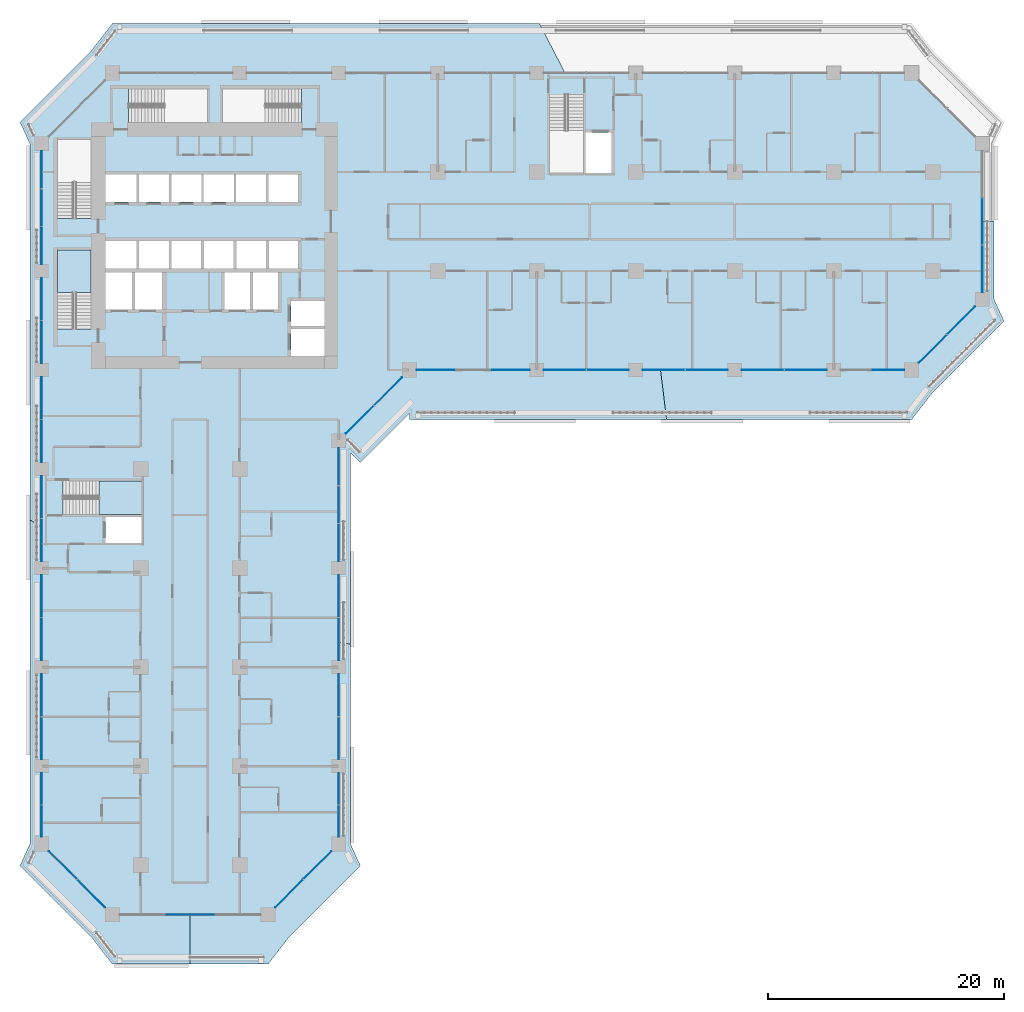
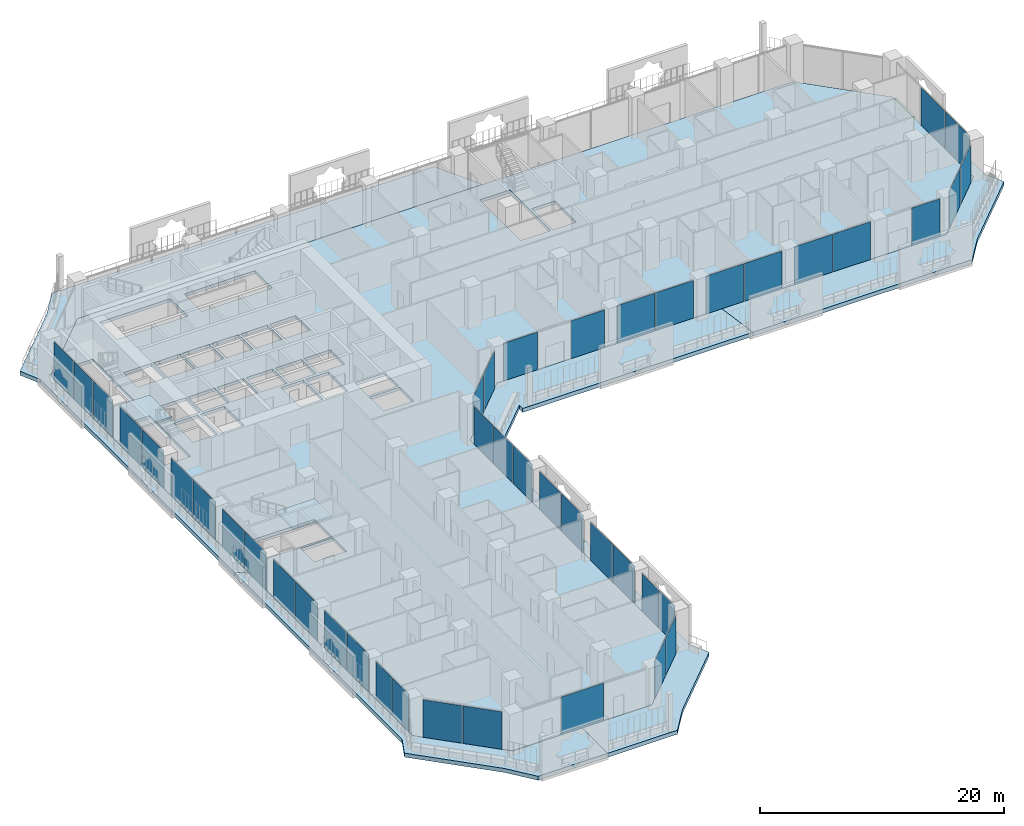
# One storey, part 11 of 28: 44 plates, 8 slabs, 11 elements without a shape of their own.
"""IFC4 building model written with IfcOpenShell, lengths in metres."""

from ifc_helpers import new_model, si_unit, direction, frame, origin, origin_2d, place, context, subcontext, project, spatial, polyline, rectangle, outline, extrude, material, layer, layer_set, type_object, element, aggregate, save


model = new_model("IFC4")

# Units and contexts
model_context = context("Model", 3, precision=1e-05, world=origin(), true_north=direction((0.0, 1.0)))
body_context = subcontext(model_context, "Body", "Model", "MODEL_VIEW")
ifc_project = project(units=[si_unit("LENGTHUNIT", "METRE"), si_unit("AREAUNIT", "SQUARE_METRE"), si_unit("VOLUMEUNIT", "CUBIC_METRE"), si_unit("PLANEANGLEUNIT", "RADIAN"), si_unit("MASSUNIT", "GRAM", prefix="KILO")], contexts=[model_context])

# Site, building, storey
site_placement = place(None, origin())
site = spatial("IfcSite", under=ifc_project, at=site_placement, CompositionType="ELEMENT")
building_placement = place(site_placement, origin())
building = spatial("IfcBuilding", under=site, at=building_placement, Name="Kawkab Arch Medical Tower", CompositionType="ELEMENT")
storey_placement = place(building_placement, frame((0.0, 0.0, 72.800048828125)))
storey = spatial("IfcBuildingStorey", under=building, at=storey_placement, Name="L16", CompositionType="ELEMENT", Elevation=72.800048828125)

# Curtain wall, plates
ifc_material_1 = material(Name="Bronze anodised aluminium curtain wall frame", Category="aluminium")
ifc_layer_1 = layer(ifc_material_1, 0.159912109375)
ifc_layer_set_1 = layer_set([ifc_layer_1], Name="Bronze anodised aluminium curtain wall frame")
curtain_wall_type_1 = type_object("IfcCurtainWallType", Name="CW1 ward curtain wall", PredefinedType="NOTDEFINED", material=ifc_layer_set_1)
placement_1 = place(storey_placement, origin())
curtain_wall_1 = element("IfcCurtainWall", 1, at=placement_1, inside=storey, type_object=curtain_wall_type_1, Name="CW1 Ward curtain wall R01", PredefinedType="NOTDEFINED")
ifc_material_2 = material(Name="Tinted insulating glass, bronze low-e coating", Category="glass")
ifc_layer_2 = layer(ifc_material_2, 0.031982421875)
ifc_layer_set_2 = layer_set([ifc_layer_2], Name="Tinted insulating glass, bronze low-e coating")
plate_type_1 = type_object("IfcPlateType", Name="CW1 glazing unit 32", PredefinedType="CURTAIN_PANEL", material=ifc_layer_set_2)
plate_1_placement = place(storey_placement, frame((0.0, -8.205810546875, 0.0), z_axis=(0.0, 0.0, 1.0), x_axis=(0.0, -1.0, 0.0)))
plate_1 = element("IfcPlate", 2, at=plate_1_placement, type_object=plate_type_1, Name="CW1 glazing unit 1.1", PredefinedType="CURTAIN_PANEL", context=body_context, shape_type="SweptSolid", body=[
    extrude(rectangle(XDim=3.16162109375, YDim=0.031982421875, at=origin_2d()), origin(), (0.0, 0.0, 1.0), 3.780029296875),
])
plate_2_placement = place(storey_placement, frame((0.0, -11.41259765625, 0.0), z_axis=(0.0, 0.0, 1.0), x_axis=(0.0, -1.0, 0.0)))
plate_2 = element("IfcPlate", 3, at=plate_2_placement, type_object=plate_type_1, Name="CW1 glazing unit 1.2", PredefinedType="CURTAIN_PANEL", context=body_context, shape_type="SweptSolid", body=[
    extrude(rectangle(XDim=3.131591796875, YDim=0.031982421875, at=origin_2d()), origin(), (0.0, 0.0, 1.0), 3.780029296875),
])
plate_3_placement = place(storey_placement, frame((0.0, -14.619140625, 0.0), z_axis=(0.0, 0.0, 1.0), x_axis=(0.0, -1.0, 0.0)))
plate_3 = element("IfcPlate", 4, at=plate_3_placement, type_object=plate_type_1, Name="CW1 glazing unit 1.3", PredefinedType="CURTAIN_PANEL", context=body_context, shape_type="SweptSolid", body=[
    extrude(rectangle(XDim=3.16162109375, YDim=0.031982421875, at=origin_2d()), origin(), (0.0, 0.0, 1.0), 3.780029296875),
])
plate_4_placement = place(storey_placement, frame((0.0, -19.18505859375, 0.0), z_axis=(0.0, 0.0, 1.0), x_axis=(0.0, -1.0, 0.0)))
plate_4 = element("IfcPlate", 5, at=plate_4_placement, type_object=plate_type_1, Name="CW1 glazing unit 2.1", PredefinedType="CURTAIN_PANEL", context=body_context, shape_type="SweptSolid", body=[
    extrude(rectangle(XDim=3.570068359375, YDim=0.031982421875, at=origin_2d()), origin(), (0.0, 0.0, 1.0), 3.780029296875),
])
plate_5_placement = place(storey_placement, frame((0.0, -22.81494140625, 0.0), z_axis=(0.0, 0.0, 1.0), x_axis=(0.0, -1.0, 0.0)))
plate_5 = element("IfcPlate", 6, at=plate_5_placement, type_object=plate_type_1, Name="CW1 glazing unit 2.2", PredefinedType="CURTAIN_PANEL", context=body_context, shape_type="SweptSolid", body=[
    extrude(rectangle(XDim=3.570068359375, YDim=0.031982421875, at=origin_2d()), origin(), (0.0, 0.0, 1.0), 3.780029296875),
])
plate_6_placement = place(storey_placement, frame((0.0, -27.5849609375, 0.0), z_axis=(0.0, 0.0, 1.0), x_axis=(0.0, -1.0, 0.0)))
plate_6 = element("IfcPlate", 7, at=plate_6_placement, type_object=plate_type_1, Name="CW1 glazing unit 3.1", PredefinedType="CURTAIN_PANEL", context=body_context, shape_type="SweptSolid", body=[
    extrude(rectangle(XDim=3.570068359375, YDim=0.031982421875, at=origin_2d()), origin(), (0.0, 0.0, 1.0), 3.780029296875),
])
plate_7_placement = place(storey_placement, frame((0.0, -31.215087890625, 0.0), z_axis=(0.0, 0.0, 1.0), x_axis=(0.0, -1.0, 0.0)))
plate_7 = element("IfcPlate", 8, at=plate_7_placement, type_object=plate_type_1, Name="CW1 glazing unit 3.2", PredefinedType="CURTAIN_PANEL", context=body_context, shape_type="SweptSolid", body=[
    extrude(rectangle(XDim=3.570068359375, YDim=0.031982421875, at=origin_2d()), origin(), (0.0, 0.0, 1.0), 3.780029296875),
])
plate_8_placement = place(storey_placement, frame((0.0, -35.985107421875, 0.0), z_axis=(0.0, 0.0, 1.0), x_axis=(0.0, -1.0, 0.0)))
plate_8 = element("IfcPlate", 9, at=plate_8_placement, type_object=plate_type_1, Name="CW1 glazing unit 4.1", PredefinedType="CURTAIN_PANEL", context=body_context, shape_type="SweptSolid", body=[
    extrude(rectangle(XDim=3.570068359375, YDim=0.031982421875, at=origin_2d()), origin(), (0.0, 0.0, 1.0), 3.780029296875),
])
plate_9_placement = place(storey_placement, frame((0.0, -39.614990234375, 0.0), z_axis=(0.0, 0.0, 1.0), x_axis=(0.0, -1.0, 0.0)))
plate_9 = element("IfcPlate", 10, at=plate_9_placement, type_object=plate_type_1, Name="CW1 glazing unit 4.2", PredefinedType="CURTAIN_PANEL", context=body_context, shape_type="SweptSolid", body=[
    extrude(rectangle(XDim=3.570068359375, YDim=0.031982421875, at=origin_2d()), origin(), (0.0, 0.0, 1.0), 3.780029296875),
])
plate_10_placement = place(storey_placement, frame((0.0, -44.385009765625, 0.0), z_axis=(0.0, 0.0, 1.0), x_axis=(0.0, -1.0, 0.0)))
plate_10 = element("IfcPlate", 11, at=plate_10_placement, type_object=plate_type_1, Name="CW1 glazing unit 5.1", PredefinedType="CURTAIN_PANEL", context=body_context, shape_type="SweptSolid", body=[
    extrude(rectangle(XDim=3.570068359375, YDim=0.031982421875, at=origin_2d()), origin(), (0.0, 0.0, 1.0), 3.780029296875),
])
plate_11_placement = place(storey_placement, frame((0.0, -48.014892578125, 0.0), z_axis=(0.0, 0.0, 1.0), x_axis=(0.0, -1.0, 0.0)))
plate_11 = element("IfcPlate", 12, at=plate_11_placement, type_object=plate_type_1, Name="CW1 glazing unit 5.2", PredefinedType="CURTAIN_PANEL", context=body_context, shape_type="SweptSolid", body=[
    extrude(rectangle(XDim=3.570068359375, YDim=0.031982421875, at=origin_2d()), origin(), (0.0, 0.0, 1.0), 3.780029296875),
])
plate_12_placement = place(storey_placement, frame((0.0, -52.784912109375, 0.0), z_axis=(0.0, 0.0, 1.0), x_axis=(0.0, -1.0, 0.0)))
plate_12 = element("IfcPlate", 13, at=plate_12_placement, type_object=plate_type_1, Name="CW1 glazing unit 6.1", PredefinedType="CURTAIN_PANEL", context=body_context, shape_type="SweptSolid", body=[
    extrude(rectangle(XDim=3.570068359375, YDim=0.031982421875, at=origin_2d()), origin(), (0.0, 0.0, 1.0), 3.780029296875),
])
plate_13_placement = place(storey_placement, frame((0.0, -56.4150390625, 0.0), z_axis=(0.0, 0.0, 1.0), x_axis=(0.0, -1.0, 0.0)))
plate_13 = element("IfcPlate", 14, at=plate_13_placement, type_object=plate_type_1, Name="CW1 glazing unit 6.2", PredefinedType="CURTAIN_PANEL", context=body_context, shape_type="SweptSolid", body=[
    extrude(rectangle(XDim=3.570068359375, YDim=0.031982421875, at=origin_2d()), origin(), (0.0, 0.0, 1.0), 3.780029296875),
])
plate_14_placement = place(storey_placement, frame((0.0, -60.728759765625, 0.0), z_axis=(0.0, 0.0, 1.0), x_axis=(0.0, -1.0, 0.0)))
plate_14 = element("IfcPlate", 15, at=plate_14_placement, type_object=plate_type_1, Name="CW1 glazing unit 7.1", PredefinedType="CURTAIN_PANEL", context=body_context, shape_type="SweptSolid", body=[
    extrude(rectangle(XDim=2.657470703125, YDim=0.031982421875, at=origin_2d()), origin(), (0.0, 0.0, 1.0), 3.780029296875),
])
plate_15_placement = place(storey_placement, frame((0.0, -63.4462890625, 0.0), z_axis=(0.0, 0.0, 1.0), x_axis=(0.0, -1.0, 0.0)))
plate_15 = element("IfcPlate", 16, at=plate_15_placement, type_object=plate_type_1, Name="CW1 glazing unit 7.2", PredefinedType="CURTAIN_PANEL", context=body_context, shape_type="SweptSolid", body=[
    extrude(rectangle(XDim=2.657470703125, YDim=0.031982421875, at=origin_2d()), origin(), (0.0, 0.0, 1.0), 3.780029296875),
])
aggregate(curtain_wall_1, [plate_1, plate_2, plate_3, plate_4, plate_5, plate_6, plate_7, plate_8, plate_9, plate_10, plate_11, plate_12, plate_13, plate_14, plate_15])

# Curtain wall, plate
curtain_wall_2 = element("IfcCurtainWall", 17, at=placement_1, inside=storey, type_object=curtain_wall_type_1, Name="CW1 Ward curtain wall R03", PredefinedType="NOTDEFINED")
plate_16_placement = place(storey_placement, frame((12.60009765625, -71.39990234375, 0.0), z_axis=(0.0, 0.0, 1.0), x_axis=(1.0, 0.0, 0.0)))
plate_16 = element("IfcPlate", 18, at=plate_16_placement, type_object=plate_type_1, Name="CW1 glazing unit 1.2", PredefinedType="CURTAIN_PANEL", context=body_context, shape_type="SweptSolid", body=[
    extrude(rectangle(XDim=3.9833984375, YDim=0.031982421875, at=origin_2d()), origin(), (0.0, 0.0, 1.0), 3.780029296875),
])
aggregate(curtain_wall_2, [plate_16])

# Curtain wall, plates
curtain_wall_3 = element("IfcCurtainWall", 19, at=placement_1, inside=storey, type_object=curtain_wall_type_1, Name="CW1 Ward curtain wall R05", PredefinedType="NOTDEFINED")
plate_17_placement = place(storey_placement, frame((25.199951171875, -63.4462890625, 0.0), z_axis=(0.0, 0.0, 1.0), x_axis=(0.0, 1.0, 0.0)))
plate_17 = element("IfcPlate", 20, at=plate_17_placement, type_object=plate_type_1, Name="CW1 glazing unit 1.1", PredefinedType="CURTAIN_PANEL", context=body_context, shape_type="SweptSolid", body=[
    extrude(rectangle(XDim=2.657470703125, YDim=0.031982421875, at=origin_2d()), origin(), (0.0, 0.0, 1.0), 3.780029296875),
])
plate_18_placement = place(storey_placement, frame((25.199951171875, -60.728759765625, 0.0), z_axis=(0.0, 0.0, 1.0), x_axis=(0.0, 1.0, 0.0)))
plate_18 = element("IfcPlate", 21, at=plate_18_placement, type_object=plate_type_1, Name="CW1 glazing unit 1.2", PredefinedType="CURTAIN_PANEL", context=body_context, shape_type="SweptSolid", body=[
    extrude(rectangle(XDim=2.657470703125, YDim=0.031982421875, at=origin_2d()), origin(), (0.0, 0.0, 1.0), 3.780029296875),
])
plate_19_placement = place(storey_placement, frame((25.199951171875, -56.4150390625, 0.0), z_axis=(0.0, 0.0, 1.0), x_axis=(0.0, 1.0, 0.0)))
plate_19 = element("IfcPlate", 22, at=plate_19_placement, type_object=plate_type_1, Name="CW1 glazing unit 2.1", PredefinedType="CURTAIN_PANEL", context=body_context, shape_type="SweptSolid", body=[
    extrude(rectangle(XDim=3.570068359375, YDim=0.031982421875, at=origin_2d()), origin(), (0.0, 0.0, 1.0), 3.780029296875),
])
plate_20_placement = place(storey_placement, frame((25.199951171875, -52.784912109375, 0.0), z_axis=(0.0, 0.0, 1.0), x_axis=(0.0, 1.0, 0.0)))
plate_20 = element("IfcPlate", 23, at=plate_20_placement, type_object=plate_type_1, Name="CW1 glazing unit 2.2", PredefinedType="CURTAIN_PANEL", context=body_context, shape_type="SweptSolid", body=[
    extrude(rectangle(XDim=3.570068359375, YDim=0.031982421875, at=origin_2d()), origin(), (0.0, 0.0, 1.0), 3.780029296875),
])
plate_21_placement = place(storey_placement, frame((25.199951171875, -48.014892578125, 0.0), z_axis=(0.0, 0.0, 1.0), x_axis=(0.0, 1.0, 0.0)))
plate_21 = element("IfcPlate", 24, at=plate_21_placement, type_object=plate_type_1, Name="CW1 glazing unit 3.1", PredefinedType="CURTAIN_PANEL", context=body_context, shape_type="SweptSolid", body=[
    extrude(rectangle(XDim=3.570068359375, YDim=0.031982421875, at=origin_2d()), origin(), (0.0, 0.0, 1.0), 3.780029296875),
])
plate_22_placement = place(storey_placement, frame((25.199951171875, -44.385009765625, 0.0), z_axis=(0.0, 0.0, 1.0), x_axis=(0.0, 1.0, 0.0)))
plate_22 = element("IfcPlate", 25, at=plate_22_placement, type_object=plate_type_1, Name="CW1 glazing unit 3.2", PredefinedType="CURTAIN_PANEL", context=body_context, shape_type="SweptSolid", body=[
    extrude(rectangle(XDim=3.570068359375, YDim=0.031982421875, at=origin_2d()), origin(), (0.0, 0.0, 1.0), 3.780029296875),
])
plate_23_placement = place(storey_placement, frame((25.199951171875, -39.819091796875, 0.0), z_axis=(0.0, 0.0, 1.0), x_axis=(0.0, 1.0, 0.0)))
plate_23 = element("IfcPlate", 26, at=plate_23_placement, type_object=plate_type_1, Name="CW1 glazing unit 4.1", PredefinedType="CURTAIN_PANEL", context=body_context, shape_type="SweptSolid", body=[
    extrude(rectangle(XDim=3.16162109375, YDim=0.031982421875, at=origin_2d()), origin(), (0.0, 0.0, 1.0), 3.780029296875),
])
plate_24_placement = place(storey_placement, frame((25.199951171875, -36.612548828125, 0.0), z_axis=(0.0, 0.0, 1.0), x_axis=(0.0, 1.0, 0.0)))
plate_24 = element("IfcPlate", 27, at=plate_24_placement, type_object=plate_type_1, Name="CW1 glazing unit 4.2", PredefinedType="CURTAIN_PANEL", context=body_context, shape_type="SweptSolid", body=[
    extrude(rectangle(XDim=3.131591796875, YDim=0.031982421875, at=origin_2d()), origin(), (0.0, 0.0, 1.0), 3.780029296875),
])
plate_25_placement = place(storey_placement, frame((25.199951171875, -33.40576171875, 0.0), z_axis=(0.0, 0.0, 1.0), x_axis=(0.0, 1.0, 0.0)))
plate_25 = element("IfcPlate", 28, at=plate_25_placement, type_object=plate_type_1, Name="CW1 glazing unit 4.3", PredefinedType="CURTAIN_PANEL", context=body_context, shape_type="SweptSolid", body=[
    extrude(rectangle(XDim=3.16162109375, YDim=0.031982421875, at=origin_2d()), origin(), (0.0, 0.0, 1.0), 3.780029296875),
])
aggregate(curtain_wall_3, [plate_17, plate_18, plate_19, plate_20, plate_21, plate_22, plate_23, plate_24, plate_25])

curtain_wall_4 = element("IfcCurtainWall", 29, at=placement_1, inside=storey, type_object=curtain_wall_type_1, Name="CW1 Ward curtain wall R07", PredefinedType="NOTDEFINED")
plate_26_placement = place(storey_placement, frame((33.4208984375, -25.199951171875, 0.0), z_axis=(0.0, 0.0, 1.0), x_axis=(1.0, 0.0, 0.0)))
plate_26 = element("IfcPlate", 30, at=plate_26_placement, type_object=plate_type_1, Name="CW1 glazing unit 1.1", PredefinedType="CURTAIN_PANEL", context=body_context, shape_type="SweptSolid", body=[
    extrude(rectangle(XDim=3.191650390625, YDim=0.031982421875, at=origin_2d()), origin(), (0.0, 0.0, 1.0), 3.780029296875),
])
plate_27_placement = place(storey_placement, frame((39.80419921875, -25.199951171875, 0.0), z_axis=(0.0, 0.0, 1.0), x_axis=(1.0, 0.0, 0.0)))
plate_27 = element("IfcPlate", 31, at=plate_27_placement, type_object=plate_type_1, Name="CW1 glazing unit 1.3", PredefinedType="CURTAIN_PANEL", context=body_context, shape_type="SweptSolid", body=[
    extrude(rectangle(XDim=3.191650390625, YDim=0.031982421875, at=origin_2d()), origin(), (0.0, 0.0, 1.0), 3.780029296875),
])
plate_28_placement = place(storey_placement, frame((44.385009765625, -25.199951171875, 0.0), z_axis=(0.0, 0.0, 1.0), x_axis=(1.0, 0.0, 0.0)))
plate_28 = element("IfcPlate", 32, at=plate_28_placement, type_object=plate_type_1, Name="CW1 glazing unit 2.1", PredefinedType="CURTAIN_PANEL", context=body_context, shape_type="SweptSolid", body=[
    extrude(rectangle(XDim=3.570068359375, YDim=0.031982421875, at=origin_2d()), origin(), (0.0, 0.0, 1.0), 3.780029296875),
])
plate_29_placement = place(storey_placement, frame((48.014892578125, -25.199951171875, 0.0), z_axis=(0.0, 0.0, 1.0), x_axis=(1.0, 0.0, 0.0)))
plate_29 = element("IfcPlate", 33, at=plate_29_placement, type_object=plate_type_1, Name="CW1 glazing unit 2.2", PredefinedType="CURTAIN_PANEL", context=body_context, shape_type="SweptSolid", body=[
    extrude(rectangle(XDim=3.570068359375, YDim=0.031982421875, at=origin_2d()), origin(), (0.0, 0.0, 1.0), 3.780029296875),
])
plate_30_placement = place(storey_placement, frame((52.784912109375, -25.199951171875, 0.0), z_axis=(0.0, 0.0, 1.0), x_axis=(1.0, 0.0, 0.0)))
plate_30 = element("IfcPlate", 34, at=plate_30_placement, type_object=plate_type_1, Name="CW1 glazing unit 3.1", PredefinedType="CURTAIN_PANEL", context=body_context, shape_type="SweptSolid", body=[
    extrude(rectangle(XDim=3.570068359375, YDim=0.031982421875, at=origin_2d()), origin(), (0.0, 0.0, 1.0), 3.780029296875),
])
plate_31_placement = place(storey_placement, frame((56.4150390625, -25.199951171875, 0.0), z_axis=(0.0, 0.0, 1.0), x_axis=(1.0, 0.0, 0.0)))
plate_31 = element("IfcPlate", 35, at=plate_31_placement, type_object=plate_type_1, Name="CW1 glazing unit 3.2", PredefinedType="CURTAIN_PANEL", context=body_context, shape_type="SweptSolid", body=[
    extrude(rectangle(XDim=3.570068359375, YDim=0.031982421875, at=origin_2d()), origin(), (0.0, 0.0, 1.0), 3.780029296875),
])
plate_32_placement = place(storey_placement, frame((61.18505859375, -25.199951171875, 0.0), z_axis=(0.0, 0.0, 1.0), x_axis=(1.0, 0.0, 0.0)))
plate_32 = element("IfcPlate", 36, at=plate_32_placement, type_object=plate_type_1, Name="CW1 glazing unit 4.1", PredefinedType="CURTAIN_PANEL", context=body_context, shape_type="SweptSolid", body=[
    extrude(rectangle(XDim=3.570068359375, YDim=0.031982421875, at=origin_2d()), origin(), (0.0, 0.0, 1.0), 3.780029296875),
])
plate_33_placement = place(storey_placement, frame((64.81494140625, -25.199951171875, 0.0), z_axis=(0.0, 0.0, 1.0), x_axis=(1.0, 0.0, 0.0)))
plate_33 = element("IfcPlate", 37, at=plate_33_placement, type_object=plate_type_1, Name="CW1 glazing unit 4.2", PredefinedType="CURTAIN_PANEL", context=body_context, shape_type="SweptSolid", body=[
    extrude(rectangle(XDim=3.570068359375, YDim=0.031982421875, at=origin_2d()), origin(), (0.0, 0.0, 1.0), 3.780029296875),
])
plate_34_placement = place(storey_placement, frame((71.831298828125, -25.199951171875, 0.0), z_axis=(0.0, 0.0, 1.0), x_axis=(1.0, 0.0, 0.0)))
plate_34 = element("IfcPlate", 38, at=plate_34_placement, type_object=plate_type_1, Name="CW1 glazing unit 5.2", PredefinedType="CURTAIN_PANEL", context=body_context, shape_type="SweptSolid", body=[
    extrude(rectangle(XDim=2.6875, YDim=0.031982421875, at=origin_2d()), origin(), (0.0, 0.0, 1.0), 3.780029296875),
])
aggregate(curtain_wall_4, [plate_26, plate_27, plate_28, plate_29, plate_30, plate_31, plate_32, plate_33, plate_34])

curtain_wall_5 = element("IfcCurtainWall", 39, at=placement_1, inside=storey, type_object=curtain_wall_type_1, Name="CW1 Ward curtain wall R09", PredefinedType="NOTDEFINED")
plate_35_placement = place(storey_placement, frame((79.800048828125, -16.598388671875, 0.0), z_axis=(0.0, 0.0, 1.0), x_axis=(0.0, 1.0, 0.0)))
plate_35 = element("IfcPlate", 40, at=plate_35_placement, type_object=plate_type_1, Name="CW1 glazing unit 1.1", PredefinedType="CURTAIN_PANEL", context=body_context, shape_type="SweptSolid", body=[
    extrude(rectangle(XDim=3.953369140625, YDim=0.031982421875, at=origin_2d()), origin(), (0.0, 0.0, 1.0), 3.780029296875),
])
plate_36_placement = place(storey_placement, frame((79.800048828125, -12.60009765625, 0.0), z_axis=(0.0, 0.0, 1.0), x_axis=(0.0, 1.0, 0.0)))
plate_36 = element("IfcPlate", 41, at=plate_36_placement, type_object=plate_type_1, Name="CW1 glazing unit 1.2", PredefinedType="CURTAIN_PANEL", context=body_context, shape_type="SweptSolid", body=[
    extrude(rectangle(XDim=3.92333984375, YDim=0.031982421875, at=origin_2d()), origin(), (0.0, 0.0, 1.0), 3.780029296875),
])
aggregate(curtain_wall_5, [plate_35, plate_36])

ifc_material_3 = material(Name="Bronze anodised aluminium curtain wall frame", Category="aluminium")
ifc_layer_3 = layer(ifc_material_3, 0.159912109375)
ifc_layer_set_3 = layer_set([ifc_layer_3], Name="Bronze anodised aluminium curtain wall frame")
curtain_wall_type_2 = type_object("IfcCurtainWallType", Name="CW2 chamfer curtain wall", PredefinedType="NOTDEFINED", material=ifc_layer_set_3)
curtain_wall_6 = element("IfcCurtainWall", 42, at=placement_1, inside=storey, type_object=curtain_wall_type_2, Name="CW2 Chamfer curtain wall R02", PredefinedType="NOTDEFINED")
ifc_material_4 = material(Name="Tinted insulating glass, bronze low-e coating", Category="glass")
ifc_layer_4 = layer(ifc_material_4, 0.031982421875)
ifc_layer_set_4 = layer_set([ifc_layer_4], Name="Tinted insulating glass, bronze low-e coating")
plate_type_2 = type_object("IfcPlateType", Name="CW2 glazing unit 32", PredefinedType="CURTAIN_PANEL", material=ifc_layer_set_4)
plate_37_placement = place(storey_placement, frame((1.802001953125, -67.201904296875, 0.0), z_axis=(0.0, 0.0, 1.0), x_axis=(0.707106781187, -0.707106781187, 0.0)))
plate_37 = element("IfcPlate", 43, at=plate_37_placement, type_object=plate_type_2, Name="CW2 glazing unit 1.1", PredefinedType="CURTAIN_PANEL", context=body_context, shape_type="SweptSolid", body=[
    extrude(rectangle(XDim=3.328857421875, YDim=0.031982421875, at=origin_2d()), origin(), (0.0, 0.0, 1.0), 3.760009765625),
])
plate_38_placement = place(storey_placement, frame((4.197998046875, -69.59814453125, 0.0), z_axis=(0.0, 0.0, 1.0), x_axis=(0.707106781187, -0.707106781187, 0.0)))
plate_38 = element("IfcPlate", 44, at=plate_38_placement, type_object=plate_type_2, Name="CW2 glazing unit 1.2", PredefinedType="CURTAIN_PANEL", context=body_context, shape_type="SweptSolid", body=[
    extrude(rectangle(XDim=3.328857421875, YDim=0.031982421875, at=origin_2d()), origin(), (0.0, 0.0, 1.0), 3.760009765625),
])
aggregate(curtain_wall_6, [plate_37, plate_38])

curtain_wall_7 = element("IfcCurtainWall", 45, at=placement_1, inside=storey, type_object=curtain_wall_type_2, Name="CW2 Chamfer curtain wall R04", PredefinedType="NOTDEFINED")
plate_39_placement = place(storey_placement, frame((21.001953125, -69.59814453125, 0.0), z_axis=(0.0, 0.0, 1.0), x_axis=(0.707106781187, 0.707106781187, 0.0)))
plate_39 = element("IfcPlate", 46, at=plate_39_placement, type_object=plate_type_2, Name="CW2 glazing unit 1.1", PredefinedType="CURTAIN_PANEL", context=body_context, shape_type="SweptSolid", body=[
    extrude(rectangle(XDim=3.328857421875, YDim=0.031982421875, at=origin_2d()), origin(), (0.0, 0.0, 1.0), 3.760009765625),
])
plate_40_placement = place(storey_placement, frame((23.398193359375, -67.201904296875, 0.0), z_axis=(0.0, 0.0, 1.0), x_axis=(0.707106781187, 0.707106781187, 0.0)))
plate_40 = element("IfcPlate", 47, at=plate_40_placement, type_object=plate_type_2, Name="CW2 glazing unit 1.2", PredefinedType="CURTAIN_PANEL", context=body_context, shape_type="SweptSolid", body=[
    extrude(rectangle(XDim=3.328857421875, YDim=0.031982421875, at=origin_2d()), origin(), (0.0, 0.0, 1.0), 3.760009765625),
])
aggregate(curtain_wall_7, [plate_39, plate_40])

curtain_wall_8 = element("IfcCurtainWall", 48, at=placement_1, inside=storey, type_object=curtain_wall_type_2, Name="CW2 Chamfer curtain wall R06", PredefinedType="NOTDEFINED")
plate_41_placement = place(storey_placement, frame((27.001953125, -29.398193359375, 0.0), z_axis=(0.0, 0.0, 1.0), x_axis=(0.707106781187, 0.707106781187, 0.0)))
plate_41 = element("IfcPlate", 49, at=plate_41_placement, type_object=plate_type_2, Name="CW2 glazing unit 1.1", PredefinedType="CURTAIN_PANEL", context=body_context, shape_type="SweptSolid", body=[
    extrude(rectangle(XDim=3.328857421875, YDim=0.031982421875, at=origin_2d()), origin(), (0.0, 0.0, 1.0), 3.760009765625),
])
plate_42_placement = place(storey_placement, frame((29.398193359375, -27.001953125, 0.0), z_axis=(0.0, 0.0, 1.0), x_axis=(0.707106781187, 0.707106781187, 0.0)))
plate_42 = element("IfcPlate", 50, at=plate_42_placement, type_object=plate_type_2, Name="CW2 glazing unit 1.2", PredefinedType="CURTAIN_PANEL", context=body_context, shape_type="SweptSolid", body=[
    extrude(rectangle(XDim=3.328857421875, YDim=0.031982421875, at=origin_2d()), origin(), (0.0, 0.0, 1.0), 3.760009765625),
])
aggregate(curtain_wall_8, [plate_41, plate_42])

curtain_wall_9 = element("IfcCurtainWall", 51, at=placement_1, inside=storey, type_object=curtain_wall_type_2, Name="CW2 Chamfer curtain wall R08", PredefinedType="NOTDEFINED")
plate_43_placement = place(storey_placement, frame((75.601806640625, -23.398193359375, 0.0), z_axis=(0.0, 0.0, 1.0), x_axis=(0.707106781187, 0.707106781187, 0.0)))
plate_43 = element("IfcPlate", 52, at=plate_43_placement, type_object=plate_type_2, Name="CW2 glazing unit 1.1", PredefinedType="CURTAIN_PANEL", context=body_context, shape_type="SweptSolid", body=[
    extrude(rectangle(XDim=3.328857421875, YDim=0.031982421875, at=origin_2d()), origin(), (0.0, 0.0, 1.0), 3.760009765625),
])
plate_44_placement = place(storey_placement, frame((77.998046875, -21.001953125, 0.0), z_axis=(0.0, 0.0, 1.0), x_axis=(0.707106781187, 0.707106781187, 0.0)))
plate_44 = element("IfcPlate", 53, at=plate_44_placement, type_object=plate_type_2, Name="CW2 glazing unit 1.2", PredefinedType="CURTAIN_PANEL", context=body_context, shape_type="SweptSolid", body=[
    extrude(rectangle(XDim=3.328857421875, YDim=0.031982421875, at=origin_2d()), origin(), (0.0, 0.0, 1.0), 3.760009765625),
])
aggregate(curtain_wall_9, [plate_43, plate_44])

# Stair, slab
ifc_material_5 = material(Name="Concrete C40/50", Category="concrete")
stair_type = type_object("IfcStairType", Name="Exit stair 1350", PredefinedType="HALF_TURN_STAIR", material=ifc_material_5)
stair_1 = element("IfcStair", 54, at=placement_1, inside=storey, type_object=stair_type, Name="L16 Exit stair ST2", PredefinedType="HALF_TURN_STAIR")
ifc_material_6 = material(Name="Concrete C40/50", Category="concrete")
ifc_layer_5 = layer(ifc_material_6, 0.199951171875)
ifc_layer_set_5 = layer_set([ifc_layer_5], Name="Concrete C40/50")
slab_type_1 = type_object("IfcSlabType", Name="Exit stair landing 200", PredefinedType="LANDING", material=ifc_layer_set_5)
placement_2 = place(storey_placement, frame((0.0, 0.0, 1.89990234375)))
slab_1 = element("IfcSlab", 55, at=placement_2, type_object=slab_type_1, Name="ST2 landing 1", PredefinedType="LANDING", context=body_context, shape_type="SweptSolid", body=[
    extrude(outline(polyline([(4.199951171875, -18.6201171875), (4.199951171875, -15.0), (1.35009765625, -15.0), (1.35009765625, -18.6201171875), (4.199951171875, -18.6201171875)])), origin(), (0.0, 0.0, 1.0), 0.199951171875),
])
aggregate(stair_1, [slab_1])

stair_2 = element("IfcStair", 56, at=placement_1, inside=storey, type_object=stair_type, Name="L16 Exit stair ST6", PredefinedType="HALF_TURN_STAIR")
slab_2 = element("IfcSlab", 57, at=placement_2, type_object=slab_type_1, Name="ST6 landing 1", PredefinedType="LANDING", context=body_context, shape_type="SweptSolid", body=[
    extrude(outline(polyline([(4.8798828125, -37.449951171875), (8.5, -37.449951171875), (8.5, -34.60009765625), (4.8798828125, -34.60009765625), (4.8798828125, -37.449951171875)])), origin(), (0.0, 0.0, 1.0), 0.199951171875),
])
aggregate(stair_2, [slab_2])

# Slabs
ifc_material_7 = material(Name="Concrete C40/50", Category="concrete")
ifc_layer_6 = layer(ifc_material_7, 0.300048828125)
ifc_layer_set_6 = layer_set([ifc_layer_6], Name="Concrete C40/50")
slab_type_2 = type_object("IfcSlabType", Name="Flat plate 300 C40/50", PredefinedType="FLOOR", material=ifc_layer_set_6)
slab_3_placement = place(storey_placement, frame((0.0, 0.0, -0.300048828125)))
element("IfcSlab", 58, at=slab_3_placement, inside=storey, type_object=slab_type_2, Name="Floor slab L16", PredefinedType="FLOOR", context=body_context, shape_type="SweptSolid", body=[
    extrude(outline(polyline([(6.0, 0.0), (73.800048828125, 0.0), (79.800048828125, -6.0), (79.800048828125, -19.199951171875), (73.800048828125, -25.199951171875), (31.199951171875, -25.199951171875), (25.199951171875, -31.199951171875), (25.199951171875, -65.39990234375), (19.199951171875, -71.39990234375), (6.0, -71.39990234375), (0.0, -65.39990234375), (0.0, -6.0), (6.0, 0.0)]), holes=[polyline([(5.425048828125, -37.64990234375), (5.425048828125, -39.85009765625), (8.5, -39.85009765625), (8.5, -37.64990234375), (5.425048828125, -37.64990234375)]), polyline([(1.800048828125, -37.449951171875), (8.5, -37.449951171875), (8.5, -34.60009765625), (1.800048828125, -34.60009765625), (1.800048828125, -37.449951171875)]), polyline([(5.39990234375, -16.89990234375), (5.39990234375, -20.050048828125), (7.675048828125, -20.050048828125), (7.675048828125, -16.89990234375), (5.39990234375, -16.89990234375)]), polyline([(10.199951171875, -16.89990234375), (7.925048828125, -16.89990234375), (7.925048828125, -20.050048828125), (10.199951171875, -20.050048828125), (10.199951171875, -16.89990234375)]), polyline([(4.199951171875, -21.699951171875), (4.199951171875, -15.0), (1.35009765625, -15.0), (1.35009765625, -21.699951171875), (4.199951171875, -21.699951171875)]), polyline([(5.39990234375, -14.25), (5.39990234375, -16.60009765625), (8.050048828125, -16.60009765625), (8.050048828125, -14.25), (5.39990234375, -14.25)]), polyline([(8.25, -14.25), (8.25, -16.60009765625), (10.800048828125, -16.60009765625), (10.800048828125, -14.25), (8.25, -14.25)]), polyline([(11.0, -16.60009765625), (13.52490234375, -16.60009765625), (13.52490234375, -14.25), (11.0, -14.25), (11.0, -16.60009765625)]), polyline([(5.39990234375, -8.60009765625), (5.39990234375, -10.949951171875), (8.050048828125, -10.949951171875), (8.050048828125, -8.60009765625), (5.39990234375, -8.60009765625)]), polyline([(8.25, -8.60009765625), (8.25, -10.949951171875), (10.800048828125, -10.949951171875), (10.800048828125, -8.60009765625), (8.25, -8.60009765625)]), polyline([(13.550048828125, -10.949951171875), (13.550048828125, -8.60009765625), (11.0, -8.60009765625), (11.0, -10.949951171875), (13.550048828125, -10.949951171875)]), polyline([(4.199951171875, -12.35009765625), (4.199951171875, -5.64990234375), (1.35009765625, -5.64990234375), (1.35009765625, -12.35009765625), (4.199951171875, -12.35009765625)]), polyline([(7.35009765625, -4.199951171875), (14.050048828125, -4.199951171875), (14.050048828125, -1.35009765625), (7.35009765625, -1.35009765625), (7.35009765625, -4.199951171875)]), polyline([(24.0, -21.72509765625), (21.14990234375, -21.72509765625), (21.14990234375, -24.0), (24.0, -24.0), (24.0, -21.72509765625)]), polyline([(24.0, -21.47509765625), (24.0, -19.35009765625), (21.14990234375, -19.35009765625), (21.14990234375, -21.47509765625), (24.0, -21.47509765625)]), polyline([(15.52490234375, -20.050048828125), (17.675048828125, -20.050048828125), (17.675048828125, -16.89990234375), (15.52490234375, -16.89990234375), (15.52490234375, -20.050048828125)]), polyline([(20.050048828125, -20.050048828125), (20.050048828125, -16.89990234375), (17.925048828125, -16.89990234375), (17.925048828125, -20.050048828125), (20.050048828125, -20.050048828125)]), polyline([(13.77490234375, -14.25), (13.77490234375, -16.60009765625), (16.27490234375, -16.60009765625), (16.27490234375, -14.25), (13.77490234375, -14.25)]), polyline([(16.52490234375, -14.25), (16.52490234375, -16.60009765625), (19.02490234375, -16.60009765625), (19.02490234375, -14.25), (16.52490234375, -14.25)]), polyline([(21.75, -16.60009765625), (21.75, -14.25), (19.27490234375, -14.25), (19.27490234375, -16.60009765625), (21.75, -16.60009765625)]), polyline([(13.75, -10.949951171875), (16.300048828125, -10.949951171875), (16.300048828125, -8.60009765625), (13.75, -8.60009765625), (13.75, -10.949951171875)]), polyline([(16.5, -10.949951171875), (19.050048828125, -10.949951171875), (19.050048828125, -8.60009765625), (16.5, -8.60009765625), (16.5, -10.949951171875)]), polyline([(21.75, -10.949951171875), (21.75, -8.60009765625), (19.25, -8.60009765625), (19.25, -10.949951171875), (21.75, -10.949951171875)]), polyline([(46.14990234375, -5.02490234375), (46.14990234375, -8.5), (48.35009765625, -8.5), (48.35009765625, -5.02490234375), (46.14990234375, -5.02490234375)]), polyline([(43.10009765625, -1.800048828125), (43.10009765625, -8.5), (45.949951171875, -8.5), (45.949951171875, -1.800048828125), (43.10009765625, -1.800048828125)]), polyline([(22.050048828125, -1.35009765625), (15.35009765625, -1.35009765625), (15.35009765625, -4.199951171875), (22.050048828125, -4.199951171875), (22.050048828125, -1.35009765625)])]), origin(), (0.0, 0.0, 1.0), 0.300048828125),
])
ifc_material_8 = material(Name="Concrete C40/50", Category="concrete")
ifc_layer_7 = layer(ifc_material_8, 0.39990234375)
ifc_layer_set_7 = layer_set([ifc_layer_7], Name="Concrete C40/50")
slab_type_3 = type_object("IfcSlabType", Name="Loggia slab 400", PredefinedType="FLOOR", material=ifc_layer_set_7)
placement_3 = place(storey_placement, frame((0.0, 0.0, -0.400146484375)))
element("IfcSlab", 59, at=placement_3, inside=storey, type_object=slab_type_3, Name="Loggia slab L16.1", PredefinedType="FLOOR", context=body_context, shape_type="SweptSolid", body=[
    extrude(outline(polyline([(12.60009765625, -75.60009765625), (12.60009765625, -71.40087890625), (19.199951171875, -71.40087890625), (19.199951171875, -71.39990234375), (25.199951171875, -65.39990234375), (25.199951171875, -48.300048828125), (26.199951171875, -48.449951171875), (26.199951171875, -65.39990234375), (27.0380859375, -67.238037109375), (21.0380859375, -73.238037109375), (19.199951171875, -75.60009765625), (12.60009765625, -75.60009765625)])), origin(), (0.0, 0.0, 1.0), 0.400146484375),
])
element("IfcSlab", 60, at=placement_3, inside=storey, type_object=slab_type_3, Name="Loggia slab L16.2", PredefinedType="FLOOR", context=body_context, shape_type="SweptSolid", body=[
    extrude(outline(polyline([(4.162109375, -73.238037109375), (-1.837890625, -67.238037109375), (-1.0, -65.39990234375), (-1.0, -37.89501953125), (-0.0009765625, -38.52001953125), (-0.0009765625, -65.39990234375), (0.0, -65.39990234375), (6.0, -71.39990234375), (6.0, -71.40087890625), (12.60009765625, -71.40087890625), (12.60009765625, -75.60009765625), (6.0, -75.60009765625), (4.162109375, -73.238037109375)])), origin(), (0.0, 0.0, 1.0), 0.400146484375),
])
element("IfcSlab", 61, at=placement_3, inside=storey, type_object=slab_type_3, Name="Loggia slab L16.3", PredefinedType="FLOOR", context=body_context, shape_type="SweptSolid", body=[
    extrude(outline(polyline([(31.199951171875, -28.8759765625), (27.0380859375, -33.037109375), (26.199951171875, -32.198974609375), (26.199951171875, -48.448974609375), (25.199951171875, -48.300048828125), (25.199951171875, -31.199951171875), (31.199951171875, -25.199951171875), (52.5, -25.199951171875), (53.01806640625, -29.39990234375), (31.199951171875, -29.39990234375), (31.199951171875, -28.8759765625)])), origin(), (0.0, 0.0, 1.0), 0.400146484375),
])
element("IfcSlab", 62, at=placement_3, inside=storey, type_object=slab_type_3, Name="Loggia slab L16.4", PredefinedType="FLOOR", context=body_context, shape_type="SweptSolid", body=[
    extrude(outline(polyline([(81.637939453125, -21.0380859375), (75.637939453125, -27.0380859375), (73.800048828125, -29.39990234375), (53.01904296875, -29.39990234375), (52.5, -25.199951171875), (73.800048828125, -25.199951171875), (79.800048828125, -19.199951171875), (79.800048828125, -12.60009765625), (80.800048828125, -12.60009765625), (80.800048828125, -19.199951171875), (81.637939453125, -21.0380859375)])), origin(), (0.0, 0.0, 1.0), 0.400146484375),
])
element("IfcSlab", 63, at=placement_3, inside=storey, type_object=slab_type_3, Name="Loggia slab L16.5", PredefinedType="FLOOR", context=body_context, shape_type="SweptSolid", body=[
    extrude(outline(polyline([(4.162109375, 1.837890625), (6.0, 4.199951171875), (35.39990234375, 4.199951171875), (42.23291015625, 4.199951171875), (44.409912109375, 0.0009765625), (31.200927734375, 0.0009765625), (6.0, 0.0009765625), (6.0, 0.0), (0.0, -6.0), (-0.0009765625, -6.0), (-0.0009765625, -38.52001953125), (-1.0, -37.89404296875), (-1.0, -6.0), (-1.837890625, -4.162109375), (4.162109375, 1.837890625)])), origin(), (0.0, 0.0, 1.0), 0.400146484375),
])

save(model, "model.ifc")
